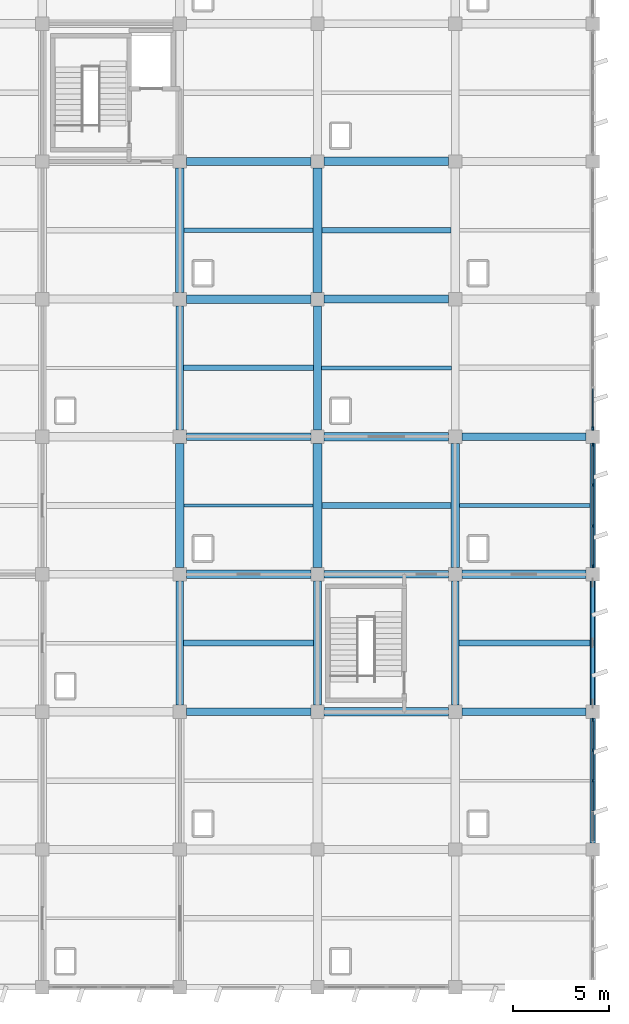
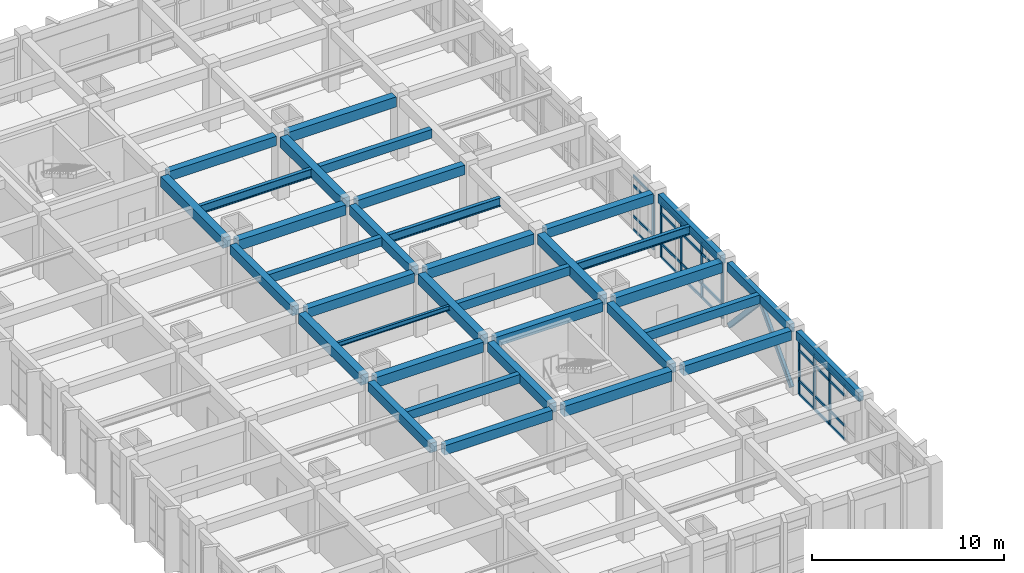
# One storey, part 26 of 70: 43 members, 31 beams, 3 elements without a shape of their own.
"""IFC4 building model written with IfcOpenShell, lengths in metres."""

from ifc_helpers import new_model, si_unit, direction, frame, origin, origin_2d, place, context, subcontext, project, spatial, rectangle, hollow_rectangle, i_section, extrude, material, layer, layer_set, material_profile, profile_set, type_object, element, aggregate, save


model = new_model("IFC4")

# Units and contexts
model_context = context("Model", 3, precision=1e-05, world=origin(), true_north=direction((0.0, 1.0)))
body_context = subcontext(model_context, "Body", "Model", "MODEL_VIEW")
ifc_project = project(units=[si_unit("LENGTHUNIT", "METRE"), si_unit("AREAUNIT", "SQUARE_METRE"), si_unit("VOLUMEUNIT", "CUBIC_METRE"), si_unit("PLANEANGLEUNIT", "RADIAN"), si_unit("MASSUNIT", "GRAM", prefix="KILO")], contexts=[model_context])

# Site, building, storey
site_placement = place(None, origin())
site = spatial("IfcSite", under=ifc_project, at=site_placement, CompositionType="ELEMENT")
building_placement = place(site_placement, origin())
building = spatial("IfcBuilding", under=site, at=building_placement, Name="Kavelor Marine Aquarium", CompositionType="ELEMENT")
storey_placement = place(building_placement, frame((0.0, 0.0, 9.179931640625)))
storey = spatial("IfcBuildingStorey", under=building, at=storey_placement, Name="L02", CompositionType="ELEMENT", Elevation=9.179931640625)

# Beams
ifc_material_1 = material(Name="Concrete C40/50", Category="concrete")
ifc_material_profile_1 = material_profile(ifc_material_1, rectangle(XDim=0.449951171875, YDim=0.64990234375, at=origin_2d()), Name="RC-BM 450x650")
ifc_profile_set_1 = profile_set([ifc_material_profile_1], Name="Concrete C40/50")
beam_type_1 = type_object("IfcBeamType", Name="BM-B3", PredefinedType="BEAM", material=ifc_profile_set_1)
for number, where, z_axis, x_axis, name in (
    (1, (133.14990234375, 74.800048828125, 3.695068359375), (1.0, 0.0, 0.0), (0.0, 1.0, 0.0), "bm:x:L02:L03:18_10"),
    (2, (133.14990234375, 89.199951171875, 3.695068359375), (1.0, 0.0, 0.0), (0.0, 1.0, 0.0), "bm:x:L02:L03:18_12"),
    (3, (140.35009765625, 67.60009765625, 3.695068359375), (1.0, 0.0, 0.0), (0.0, 1.0, 0.0), "bm:x:L02:L03:19_09"),
    (4, (140.35009765625, 82.0, 3.695068359375), (1.0, 0.0, 0.0), (0.0, 1.0, 0.0), "bm:x:L02:L03:19_11"),
    (5, (140.35009765625, 96.39990234375, 3.695068359375), (1.0, 0.0, 0.0), (0.0, 1.0, 0.0), "bm:x:L02:L03:19_13"),
    (6, (147.550048828125, 74.800048828125, 3.715087890625), (1.0, 0.0, 0.0), (0.0, 1.0, 0.0), "bm:x:L02:L03:20_10"),
    (7, (132.800048828125, 75.14990234375, 3.695068359375), (0.0, 1.0, 0.0), (-1.0, 0.0, 0.0), "bm:y:L02:L03:18_10"),
    (8, (132.800048828125, 89.550048828125, 3.695068359375), (0.0, 1.0, 0.0), (-1.0, 0.0, 0.0), "bm:y:L02:L03:18_12"),
    (9, (140.0, 75.14990234375, 3.695068359375), (0.0, 1.0, 0.0), (-1.0, 0.0, 0.0), "bm:y:L02:L03:19_10"),
    (10, (140.0, 89.550048828125, 3.695068359375), (0.0, 1.0, 0.0), (-1.0, 0.0, 0.0), "bm:y:L02:L03:19_12"),
    (11, (147.199951171875, 75.14990234375, 3.715087890625), (0.0, 1.0, 0.0), (-1.0, 0.0, 0.0), "bm:y:L02:L03:20_10"),
):
    element("IfcBeam", number, at=place(storey_placement, frame(where, z_axis=z_axis, x_axis=x_axis)), inside=storey, type_object=beam_type_1, Name=name, PredefinedType="BEAM", context=body_context, shape_type="SweptSolid", body=[
        extrude(rectangle(XDim=0.449951171875, YDim=0.64990234375, at=origin_2d()), origin(), (0.0, 0.0, 1.0), 6.5),
    ])
ifc_material_2 = material(Name="Concrete C40/50", Category="concrete")
ifc_material_profile_2 = material_profile(ifc_material_2, rectangle(XDim=0.39990234375, YDim=0.60009765625, at=origin_2d()), Name="RC-BM 400x600")
ifc_profile_set_2 = profile_set([ifc_material_profile_2], Name="Concrete C40/50")
beam_type_2 = type_object("IfcBeamType", Name="BM-B4", PredefinedType="BEAM", material=ifc_profile_set_2)
for number, where, z_axis, x_axis, name in (
    (12, (133.14990234375, 67.60009765625, 3.719970703125), (1.0, 0.0, 0.0), (0.0, 1.0, 0.0), "bm:x:L02:L03:18_09"),
    (13, (133.14990234375, 82.0, 3.719970703125), (1.0, 0.0, 0.0), (0.0, 1.0, 0.0), "bm:x:L02:L03:18_11"),
    (14, (133.14990234375, 96.39990234375, 3.719970703125), (1.0, 0.0, 0.0), (0.0, 1.0, 0.0), "bm:x:L02:L03:18_13"),
    (15, (140.35009765625, 74.800048828125, 3.719970703125), (1.0, 0.0, 0.0), (0.0, 1.0, 0.0), "bm:x:L02:L03:19_10"),
    (16, (140.35009765625, 89.199951171875, 3.719970703125), (1.0, 0.0, 0.0), (0.0, 1.0, 0.0), "bm:x:L02:L03:19_12"),
    (17, (147.550048828125, 67.60009765625, 3.739990234375), (1.0, 0.0, 0.0), (0.0, 1.0, 0.0), "bm:x:L02:L03:20_09"),
    (18, (147.550048828125, 82.0, 3.739990234375), (1.0, 0.0, 0.0), (0.0, 1.0, 0.0), "bm:x:L02:L03:20_11"),
    (19, (132.800048828125, 67.949951171875, 3.719970703125), (0.0, 1.0, 0.0), (-1.0, 0.0, 0.0), "bm:y:L02:L03:18_09"),
    (20, (132.800048828125, 82.35009765625, 3.719970703125), (0.0, 1.0, 0.0), (-1.0, 0.0, 0.0), "bm:y:L02:L03:18_11"),
    (21, (140.0, 67.949951171875, 3.719970703125), (0.0, 1.0, 0.0), (-1.0, 0.0, 0.0), "bm:y:L02:L03:19_09"),
    (22, (140.0, 82.35009765625, 3.719970703125), (0.0, 1.0, 0.0), (-1.0, 0.0, 0.0), "bm:y:L02:L03:19_11"),
    (23, (147.199951171875, 67.949951171875, 3.719970703125), (0.0, 1.0, 0.0), (-1.0, 0.0, 0.0), "bm:y:L02:L03:20_09"),
):
    element("IfcBeam", number, at=place(storey_placement, frame(where, z_axis=z_axis, x_axis=x_axis)), inside=storey, type_object=beam_type_2, Name=name, PredefinedType="BEAM", context=body_context, shape_type="SweptSolid", body=[
        extrude(rectangle(XDim=0.39990234375, YDim=0.60009765625, at=origin_2d()), origin(), (0.0, 0.0, 1.0), 6.5),
    ])
ifc_material_3 = material(Name="Concrete C40/50", Category="concrete")
ifc_material_profile_3 = material_profile(ifc_material_3, rectangle(XDim=0.300048828125, YDim=0.550048828125, at=origin_2d()), Name="RC-JS 300x550")
ifc_profile_set_3 = profile_set([ifc_material_profile_3], Name="Concrete C40/50")
beam_type_3 = type_object("IfcBeamType", Name="BM-JS2", PredefinedType="JOIST", material=ifc_profile_set_3)
for number, where, z_axis, x_axis, name in (
    (24, (133.0, 71.199951171875, 3.76513671875), (1.0, 0.0, 0.0), (0.0, 1.0, 0.0), "js:L02:L03:18_09"),
    (25, (133.0, 85.60009765625, 3.76513671875), (1.0, 0.0, 0.0), (0.0, 1.0, 0.0), "js:L02:L03:18_11"),
):
    element("IfcBeam", number, at=place(storey_placement, frame(where, z_axis=z_axis, x_axis=x_axis)), inside=storey, type_object=beam_type_3, Name=name, PredefinedType="JOIST", context=body_context, shape_type="SweptSolid", body=[
        extrude(rectangle(XDim=0.300048828125, YDim=0.550048828125, at=origin_2d()), origin(), (0.0, 0.0, 1.0), 6.800048828125),
    ])
for number, where, z_axis, x_axis, name in (
    (26, (140.22509765625, 78.39990234375, 3.76513671875), (1.0, 0.0, 0.0), (0.0, 1.0, 0.0), "js:L02:L03:19_10"),
    (27, (140.22509765625, 92.800048828125, 3.76513671875), (1.0, 0.0, 0.0), (0.0, 1.0, 0.0), "js:L02:L03:19_12"),
):
    element("IfcBeam", number, at=place(storey_placement, frame(where, z_axis=z_axis, x_axis=x_axis)), inside=storey, type_object=beam_type_3, Name=name, PredefinedType="JOIST", context=body_context, shape_type="SweptSolid", body=[
        extrude(rectangle(XDim=0.300048828125, YDim=0.550048828125, at=origin_2d()), origin(), (0.0, 0.0, 1.0), 6.75),
    ])
beam_placement = place(storey_placement, frame((147.39990234375, 71.199951171875, 3.76513671875), z_axis=(1.0, 0.0, 0.0), x_axis=(0.0, 1.0, 0.0)))
element("IfcBeam", 28, at=beam_placement, inside=storey, type_object=beam_type_3, Name="js:L02:L03:20_09", PredefinedType="JOIST", context=body_context, shape_type="SweptSolid", body=[
    extrude(rectangle(XDim=0.300048828125, YDim=0.550048828125, at=origin_2d()), origin(), (0.0, 0.0, 1.0), 6.85009765625),
])
ifc_material_4 = material(Name="Concrete C40/50", Category="concrete")
ifc_material_profile_4 = material_profile(ifc_material_4, rectangle(XDim=0.300048828125, YDim=0.550048828125, at=origin_2d()), Name="RC-SP 300x550")
ifc_profile_set_4 = profile_set([ifc_material_profile_4], Name="Concrete C40/50")
beam_type_4 = type_object("IfcBeamType", Name="BM-SP2", PredefinedType="SPANDREL", material=ifc_profile_set_4)
for number, where, z_axis, x_axis, name in (
    (29, (154.39990234375, 60.75, 3.76513671875), (0.0, 1.0, 0.0), (-1.0, 0.0, 0.0), "bm:y:L02:L03:21_08"),
    (30, (154.39990234375, 67.949951171875, 3.76513671875), (0.0, 1.0, 0.0), (-1.0, 0.0, 0.0), "bm:y:L02:L03:21_09"),
    (31, (154.39990234375, 75.14990234375, 3.76513671875), (0.0, 1.0, 0.0), (-1.0, 0.0, 0.0), "bm:y:L02:L03:21_10"),
):
    element("IfcBeam", number, at=place(storey_placement, frame(where, z_axis=z_axis, x_axis=x_axis)), inside=storey, type_object=beam_type_4, Name=name, PredefinedType="SPANDREL", context=body_context, shape_type="SweptSolid", body=[
        extrude(rectangle(XDim=0.300048828125, YDim=0.550048828125, at=origin_2d()), origin(), (0.0, 0.0, 1.0), 6.5),
    ])

# Curtain wall, members
ifc_material_5 = material(Name="Thermally Broken Aluminium and Low-E Glass", Category="aluminium")
ifc_layer_1 = layer(ifc_material_5, 0.26806640625)
ifc_layer_set_1 = layer_set([ifc_layer_1], Name="CW-SYS16")
curtain_wall_type_1 = type_object("IfcCurtainWallType", Name="CW-SYS16", PredefinedType="USERDEFINED", material=ifc_layer_set_1)
curtain_wall_1_placement = place(storey_placement, origin())
curtain_wall_1 = element("IfcCurtainWall", 32, at=curtain_wall_1_placement, inside=storey, type_object=curtain_wall_type_1, Name="cw:y:L02:21_08", ObjectType="Curtain Wall", PredefinedType="USERDEFINED")
ifc_material_6 = material(Name="Anodised Aluminium Alloy 6063-T6", Category="aluminium")
ifc_material_profile_5 = material_profile(ifc_material_6, rectangle(XDim=0.074951171875, YDim=0.179931640625, at=origin_2d()), Name="CW-MUL 75x180")
ifc_profile_set_5 = profile_set([ifc_material_profile_5], Name="Anodised Aluminium Alloy 6063-T6")
member_type_1 = type_object("IfcMemberType", Name="CWM-1", PredefinedType="MULLION", material=ifc_profile_set_5)
member_1_placement = place(storey_placement, frame((154.39990234375, 64.0, 0.0), z_axis=(0.0, 0.0, 1.0), x_axis=(-1.0, 0.0, 0.0)))
member_1 = element("IfcMember", 33, at=member_1_placement, type_object=member_type_1, Name="CW16 mullion 3", PredefinedType="MULLION", context=body_context, shape_type="SweptSolid", body=[
    extrude(rectangle(XDim=0.074951171875, YDim=0.179931640625, at=origin_2d()), origin(), (0.0, 0.0, 1.0), 3.47998046875),
])
member_2_placement = place(storey_placement, frame((154.39990234375, 65.6025390625, 0.0), z_axis=(0.0, 0.0, 1.0), x_axis=(-1.0, 0.0, 0.0)))
member_2 = element("IfcMember", 34, at=member_2_placement, type_object=member_type_1, Name="CW16 mullion 4", PredefinedType="MULLION", context=body_context, shape_type="SweptSolid", body=[
    extrude(rectangle(XDim=0.074951171875, YDim=0.179931640625, at=origin_2d()), origin(), (0.0, 0.0, 1.0), 3.47998046875),
])
member_3_placement = place(storey_placement, frame((154.39990234375, 67.16748046875, 0.0), z_axis=(0.0, 0.0, 1.0), x_axis=(-1.0, 0.0, 0.0)))
member_3 = element("IfcMember", 35, at=member_3_placement, type_object=member_type_1, Name="CW16 mullion 5", PredefinedType="MULLION", context=body_context, shape_type="SweptSolid", body=[
    extrude(rectangle(XDim=0.074951171875, YDim=0.179931640625, at=origin_2d()), origin(), (0.0, 0.0, 1.0), 3.47998046875),
])

ifc_material_7 = material(Name="Thermally Broken Aluminium and Low-E Glass", Category="aluminium")
ifc_layer_2 = layer(ifc_material_7, 0.27587890625)
ifc_layer_set_2 = layer_set([ifc_layer_2], Name="CW-SYS17")
curtain_wall_type_2 = type_object("IfcCurtainWallType", Name="CW-SYS17", PredefinedType="USERDEFINED", material=ifc_layer_set_2)
curtain_wall_2_placement = place(storey_placement, origin())
curtain_wall_2 = element("IfcCurtainWall", 36, at=curtain_wall_2_placement, inside=storey, type_object=curtain_wall_type_2, Name="cw:y:L02:21_10", ObjectType="Curtain Wall", PredefinedType="USERDEFINED")
ifc_material_8 = material(Name="Anodised Aluminium Alloy 6063-T6", Category="aluminium")
ifc_material_profile_6 = material_profile(ifc_material_8, rectangle(XDim=0.080078125, YDim=0.18505859375, at=origin_2d()), Name="CW-MUL 80x185")
ifc_profile_set_6 = profile_set([ifc_material_profile_6], Name="Anodised Aluminium Alloy 6063-T6")
member_type_2 = type_object("IfcMemberType", Name="CWM-2", PredefinedType="MULLION", material=ifc_profile_set_6)
member_4_placement = place(storey_placement, frame((154.39990234375, 75.2275390625, 0.0), z_axis=(0.0, 0.0, 1.0), x_axis=(-1.0, 0.0, 0.0)))
member_4 = element("IfcMember", 37, at=member_4_placement, type_object=member_type_2, Name="CW17 mullion 1", PredefinedType="MULLION", context=body_context, shape_type="SweptSolid", body=[
    extrude(rectangle(XDim=0.080078125, YDim=0.18505859375, at=origin_2d()), origin(), (0.0, 0.0, 1.0), 3.47998046875),
])
member_5_placement = place(storey_placement, frame((154.39990234375, 77.331787109375, 0.0), z_axis=(0.0, 0.0, 1.0), x_axis=(-1.0, 0.0, 0.0)))
member_5 = element("IfcMember", 38, at=member_5_placement, type_object=member_type_2, Name="CW17 mullion 2", PredefinedType="MULLION", context=body_context, shape_type="SweptSolid", body=[
    extrude(rectangle(XDim=0.080078125, YDim=0.18505859375, at=origin_2d()), origin(), (0.0, 0.0, 1.0), 3.47998046875),
])
member_6_placement = place(storey_placement, frame((154.39990234375, 79.46826171875, 0.0), z_axis=(0.0, 0.0, 1.0), x_axis=(-1.0, 0.0, 0.0)))
member_6 = element("IfcMember", 39, at=member_6_placement, type_object=member_type_2, Name="CW17 mullion 3", PredefinedType="MULLION", context=body_context, shape_type="SweptSolid", body=[
    extrude(rectangle(XDim=0.080078125, YDim=0.18505859375, at=origin_2d()), origin(), (0.0, 0.0, 1.0), 3.47998046875),
])
member_7_placement = place(storey_placement, frame((154.39990234375, 81.572509765625, 0.0), z_axis=(0.0, 0.0, 1.0), x_axis=(-1.0, 0.0, 0.0)))
member_7 = element("IfcMember", 40, at=member_7_placement, type_object=member_type_2, Name="CW17 mullion 4", PredefinedType="MULLION", context=body_context, shape_type="SweptSolid", body=[
    extrude(rectangle(XDim=0.080078125, YDim=0.18505859375, at=origin_2d()), origin(), (0.0, 0.0, 1.0), 3.47998046875),
])

ifc_material_9 = material(Name="Thermally Broken Aluminium and Low-E Glass", Category="aluminium")
ifc_layer_3 = layer(ifc_material_9, 0.283935546875)
ifc_layer_set_3 = layer_set([ifc_layer_3], Name="CW-SYS18")
curtain_wall_type_3 = type_object("IfcCurtainWallType", Name="CW-SYS18", PredefinedType="USERDEFINED", material=ifc_layer_set_3)
curtain_wall_3_placement = place(storey_placement, origin())
curtain_wall_3 = element("IfcCurtainWall", 41, at=curtain_wall_3_placement, inside=storey, type_object=curtain_wall_type_3, Name="cw:y:L02:21_11", ObjectType="Curtain Wall", PredefinedType="USERDEFINED")
ifc_material_10 = material(Name="Anodised Aluminium Alloy 6063-T6", Category="aluminium")
ifc_material_profile_7 = material_profile(ifc_material_10, rectangle(XDim=0.0849609375, YDim=0.18994140625, at=origin_2d()), Name="CW-MUL 85x190")
ifc_profile_set_7 = profile_set([ifc_material_profile_7], Name="Anodised Aluminium Alloy 6063-T6")
member_type_3 = type_object("IfcMemberType", Name="CWM-3", PredefinedType="MULLION", material=ifc_profile_set_7)
member_8_placement = place(storey_placement, frame((154.39990234375, 82.425048828125, 0.0), z_axis=(0.0, 0.0, 1.0), x_axis=(-1.0, 0.0, 0.0)))
member_8 = element("IfcMember", 42, at=member_8_placement, type_object=member_type_3, Name="CW18 mullion 1", PredefinedType="MULLION", context=body_context, shape_type="SweptSolid", body=[
    extrude(rectangle(XDim=0.0849609375, YDim=0.18994140625, at=origin_2d()), origin(), (0.0, 0.0, 1.0), 3.47998046875),
])
ifc_material_11 = material(Name="Anodised Aluminium Alloy 6063-T6", Category="aluminium")
ifc_material_profile_8 = material_profile(ifc_material_11, rectangle(XDim=0.074951171875, YDim=0.14990234375, at=origin_2d()), Name="CW-TRN 75x150")
ifc_profile_set_8 = profile_set([ifc_material_profile_8], Name="Anodised Aluminium Alloy 6063-T6")
member_type_4 = type_object("IfcMemberType", Name="CWT-1", PredefinedType="USERDEFINED", material=ifc_profile_set_8)
member_9_placement = place(storey_placement, frame((154.39990234375, 82.455078125, 0.03759765625), z_axis=(0.0, 1.0, 0.0), x_axis=(-1.0, 0.0, 0.0)))
member_9 = element("IfcMember", 43, at=member_9_placement, type_object=member_type_4, Name="CW18 transom 1.1", ObjectType="TRANSOM", PredefinedType="USERDEFINED", context=body_context, shape_type="SweptSolid", body=[
    extrude(rectangle(XDim=0.074951171875, YDim=0.14990234375, at=origin_2d()), origin(), (0.0, 0.0, 1.0), 2.046630859375),
])
member_10_placement = place(storey_placement, frame((154.39990234375, 82.455078125, 0.900146484375), z_axis=(0.0, 1.0, 0.0), x_axis=(-1.0, 0.0, 0.0)))
member_10 = element("IfcMember", 44, at=member_10_placement, type_object=member_type_4, Name="CW18 transom 1.2", ObjectType="TRANSOM", PredefinedType="USERDEFINED", context=body_context, shape_type="SweptSolid", body=[
    extrude(rectangle(XDim=0.074951171875, YDim=0.14990234375, at=origin_2d()), origin(), (0.0, 0.0, 1.0), 2.046630859375),
])
member_11_placement = place(storey_placement, frame((154.39990234375, 82.455078125, 2.830078125), z_axis=(0.0, 1.0, 0.0), x_axis=(-1.0, 0.0, 0.0)))
member_11 = element("IfcMember", 45, at=member_11_placement, type_object=member_type_4, Name="CW18 transom 1.3", ObjectType="TRANSOM", PredefinedType="USERDEFINED", context=body_context, shape_type="SweptSolid", body=[
    extrude(rectangle(XDim=0.074951171875, YDim=0.14990234375, at=origin_2d()), origin(), (0.0, 0.0, 1.0), 2.046630859375),
])
member_12_placement = place(storey_placement, frame((154.39990234375, 82.455078125, 3.442626953125), z_axis=(0.0, 1.0, 0.0), x_axis=(-1.0, 0.0, 0.0)))
member_12 = element("IfcMember", 46, at=member_12_placement, type_object=member_type_4, Name="CW18 transom 1.4", ObjectType="TRANSOM", PredefinedType="USERDEFINED", context=body_context, shape_type="SweptSolid", body=[
    extrude(rectangle(XDim=0.074951171875, YDim=0.14990234375, at=origin_2d()), origin(), (0.0, 0.0, 1.0), 2.046630859375),
])
aggregate(curtain_wall_3, [member_8, member_9, member_10, member_11, member_12])

# Member
ifc_material_12 = material(Name="Anodised Aluminium Alloy 6063-T6", Category="aluminium")
ifc_material_profile_9 = material_profile(ifc_material_12, rectangle(XDim=0.0849609375, YDim=0.159912109375, at=origin_2d()), Name="CW-TRN 85x160")
ifc_profile_set_9 = profile_set([ifc_material_profile_9], Name="Anodised Aluminium Alloy 6063-T6")
member_type_5 = type_object("IfcMemberType", Name="CWT-3", PredefinedType="USERDEFINED", material=ifc_profile_set_9)
member_13_placement = place(storey_placement, frame((154.39990234375, 60.8701171875, 3.449951171875), z_axis=(0.0, 1.0, 0.0), x_axis=(-1.0, 0.0, 0.0)))
member_13 = element("IfcMember", 47, at=member_13_placement, type_object=member_type_5, Name="CW16 transom 1.4", ObjectType="TRANSOM", PredefinedType="USERDEFINED", context=body_context, shape_type="SweptSolid", body=[
    extrude(rectangle(XDim=0.0849609375, YDim=0.159912109375, at=origin_2d()), origin(), (0.0, 0.0, 1.0), 1.489990234375),
])

member_14_placement = place(storey_placement, frame((154.39990234375, 62.43505859375, 0.030029296875), z_axis=(0.0, 1.0, 0.0), x_axis=(-1.0, 0.0, 0.0)))
member_14 = element("IfcMember", 48, at=member_14_placement, type_object=member_type_5, Name="CW16 transom 2.1", ObjectType="TRANSOM", PredefinedType="USERDEFINED", context=body_context, shape_type="SweptSolid", body=[
    extrude(rectangle(XDim=0.0849609375, YDim=0.159912109375, at=origin_2d()), origin(), (0.0, 0.0, 1.0), 1.52734375),
])

member_15_placement = place(storey_placement, frame((154.39990234375, 62.43505859375, 0.900146484375), z_axis=(0.0, 1.0, 0.0), x_axis=(-1.0, 0.0, 0.0)))
member_15 = element("IfcMember", 49, at=member_15_placement, type_object=member_type_5, Name="CW16 transom 2.2", ObjectType="TRANSOM", PredefinedType="USERDEFINED", context=body_context, shape_type="SweptSolid", body=[
    extrude(rectangle(XDim=0.0849609375, YDim=0.159912109375, at=origin_2d()), origin(), (0.0, 0.0, 1.0), 1.52734375),
])

member_16_placement = place(storey_placement, frame((154.39990234375, 62.43505859375, 2.830078125), z_axis=(0.0, 1.0, 0.0), x_axis=(-1.0, 0.0, 0.0)))
member_16 = element("IfcMember", 50, at=member_16_placement, type_object=member_type_5, Name="CW16 transom 2.3", ObjectType="TRANSOM", PredefinedType="USERDEFINED", context=body_context, shape_type="SweptSolid", body=[
    extrude(rectangle(XDim=0.0849609375, YDim=0.159912109375, at=origin_2d()), origin(), (0.0, 0.0, 1.0), 1.52734375),
])

member_17_placement = place(storey_placement, frame((154.39990234375, 62.43505859375, 3.449951171875), z_axis=(0.0, 1.0, 0.0), x_axis=(-1.0, 0.0, 0.0)))
member_17 = element("IfcMember", 51, at=member_17_placement, type_object=member_type_5, Name="CW16 transom 2.4", ObjectType="TRANSOM", PredefinedType="USERDEFINED", context=body_context, shape_type="SweptSolid", body=[
    extrude(rectangle(XDim=0.0849609375, YDim=0.159912109375, at=origin_2d()), origin(), (0.0, 0.0, 1.0), 1.52734375),
])

member_18_placement = place(storey_placement, frame((154.39990234375, 64.03759765625, 0.030029296875), z_axis=(0.0, 1.0, 0.0), x_axis=(-1.0, 0.0, 0.0)))
member_18 = element("IfcMember", 52, at=member_18_placement, type_object=member_type_5, Name="CW16 transom 3.1", ObjectType="TRANSOM", PredefinedType="USERDEFINED", context=body_context, shape_type="SweptSolid", body=[
    extrude(rectangle(XDim=0.0849609375, YDim=0.159912109375, at=origin_2d()), origin(), (0.0, 0.0, 1.0), 1.52734375),
])

member_19_placement = place(storey_placement, frame((154.39990234375, 64.03759765625, 0.900146484375), z_axis=(0.0, 1.0, 0.0), x_axis=(-1.0, 0.0, 0.0)))
member_19 = element("IfcMember", 53, at=member_19_placement, type_object=member_type_5, Name="CW16 transom 3.2", ObjectType="TRANSOM", PredefinedType="USERDEFINED", context=body_context, shape_type="SweptSolid", body=[
    extrude(rectangle(XDim=0.0849609375, YDim=0.159912109375, at=origin_2d()), origin(), (0.0, 0.0, 1.0), 1.52734375),
])

member_20_placement = place(storey_placement, frame((154.39990234375, 64.03759765625, 2.830078125), z_axis=(0.0, 1.0, 0.0), x_axis=(-1.0, 0.0, 0.0)))
member_20 = element("IfcMember", 54, at=member_20_placement, type_object=member_type_5, Name="CW16 transom 3.3", ObjectType="TRANSOM", PredefinedType="USERDEFINED", context=body_context, shape_type="SweptSolid", body=[
    extrude(rectangle(XDim=0.0849609375, YDim=0.159912109375, at=origin_2d()), origin(), (0.0, 0.0, 1.0), 1.52734375),
])

member_21_placement = place(storey_placement, frame((154.39990234375, 64.03759765625, 3.449951171875), z_axis=(0.0, 1.0, 0.0), x_axis=(-1.0, 0.0, 0.0)))
member_21 = element("IfcMember", 55, at=member_21_placement, type_object=member_type_5, Name="CW16 transom 3.4", ObjectType="TRANSOM", PredefinedType="USERDEFINED", context=body_context, shape_type="SweptSolid", body=[
    extrude(rectangle(XDim=0.0849609375, YDim=0.159912109375, at=origin_2d()), origin(), (0.0, 0.0, 1.0), 1.52734375),
])

member_22_placement = place(storey_placement, frame((154.39990234375, 65.639892578125, 0.030029296875), z_axis=(0.0, 1.0, 0.0), x_axis=(-1.0, 0.0, 0.0)))
member_22 = element("IfcMember", 56, at=member_22_placement, type_object=member_type_5, Name="CW16 transom 4.1", ObjectType="TRANSOM", PredefinedType="USERDEFINED", context=body_context, shape_type="SweptSolid", body=[
    extrude(rectangle(XDim=0.0849609375, YDim=0.159912109375, at=origin_2d()), origin(), (0.0, 0.0, 1.0), 1.489990234375),
])

member_23_placement = place(storey_placement, frame((154.39990234375, 65.639892578125, 0.900146484375), z_axis=(0.0, 1.0, 0.0), x_axis=(-1.0, 0.0, 0.0)))
member_23 = element("IfcMember", 57, at=member_23_placement, type_object=member_type_5, Name="CW16 transom 4.2", ObjectType="TRANSOM", PredefinedType="USERDEFINED", context=body_context, shape_type="SweptSolid", body=[
    extrude(rectangle(XDim=0.0849609375, YDim=0.159912109375, at=origin_2d()), origin(), (0.0, 0.0, 1.0), 1.489990234375),
])

member_24_placement = place(storey_placement, frame((154.39990234375, 65.639892578125, 2.830078125), z_axis=(0.0, 1.0, 0.0), x_axis=(-1.0, 0.0, 0.0)))
member_24 = element("IfcMember", 58, at=member_24_placement, type_object=member_type_5, Name="CW16 transom 4.3", ObjectType="TRANSOM", PredefinedType="USERDEFINED", context=body_context, shape_type="SweptSolid", body=[
    extrude(rectangle(XDim=0.0849609375, YDim=0.159912109375, at=origin_2d()), origin(), (0.0, 0.0, 1.0), 1.489990234375),
])

member_25_placement = place(storey_placement, frame((154.39990234375, 65.639892578125, 3.449951171875), z_axis=(0.0, 1.0, 0.0), x_axis=(-1.0, 0.0, 0.0)))
member_25 = element("IfcMember", 59, at=member_25_placement, type_object=member_type_5, Name="CW16 transom 4.4", ObjectType="TRANSOM", PredefinedType="USERDEFINED", context=body_context, shape_type="SweptSolid", body=[
    extrude(rectangle(XDim=0.0849609375, YDim=0.159912109375, at=origin_2d()), origin(), (0.0, 0.0, 1.0), 1.489990234375),
])

aggregate(curtain_wall_1, [member_1, member_2, member_3, member_13, member_14, member_15, member_16, member_17, member_18, member_19, member_20, member_21, member_22, member_23, member_24, member_25])

member_26_placement = place(storey_placement, frame((154.39990234375, 75.260009765625, 0.030029296875), z_axis=(0.0, 1.0, 0.0), x_axis=(-1.0, 0.0, 0.0)))
member_26 = element("IfcMember", 60, at=member_26_placement, type_object=member_type_5, Name="CW17 transom 1.1", ObjectType="TRANSOM", PredefinedType="USERDEFINED", context=body_context, shape_type="SweptSolid", body=[
    extrude(rectangle(XDim=0.0849609375, YDim=0.159912109375, at=origin_2d()), origin(), (0.0, 0.0, 1.0), 2.0390625),
])

member_27_placement = place(storey_placement, frame((154.39990234375, 75.260009765625, 0.900146484375), z_axis=(0.0, 1.0, 0.0), x_axis=(-1.0, 0.0, 0.0)))
member_27 = element("IfcMember", 61, at=member_27_placement, type_object=member_type_5, Name="CW17 transom 1.2", ObjectType="TRANSOM", PredefinedType="USERDEFINED", context=body_context, shape_type="SweptSolid", body=[
    extrude(rectangle(XDim=0.0849609375, YDim=0.159912109375, at=origin_2d()), origin(), (0.0, 0.0, 1.0), 2.0390625),
])

member_28_placement = place(storey_placement, frame((154.39990234375, 75.260009765625, 2.830078125), z_axis=(0.0, 1.0, 0.0), x_axis=(-1.0, 0.0, 0.0)))
member_28 = element("IfcMember", 62, at=member_28_placement, type_object=member_type_5, Name="CW17 transom 1.3", ObjectType="TRANSOM", PredefinedType="USERDEFINED", context=body_context, shape_type="SweptSolid", body=[
    extrude(rectangle(XDim=0.0849609375, YDim=0.159912109375, at=origin_2d()), origin(), (0.0, 0.0, 1.0), 2.0390625),
])

member_29_placement = place(storey_placement, frame((154.39990234375, 75.260009765625, 3.449951171875), z_axis=(0.0, 1.0, 0.0), x_axis=(-1.0, 0.0, 0.0)))
member_29 = element("IfcMember", 63, at=member_29_placement, type_object=member_type_5, Name="CW17 transom 1.4", ObjectType="TRANSOM", PredefinedType="USERDEFINED", context=body_context, shape_type="SweptSolid", body=[
    extrude(rectangle(XDim=0.0849609375, YDim=0.159912109375, at=origin_2d()), origin(), (0.0, 0.0, 1.0), 2.0390625),
])

member_30_placement = place(storey_placement, frame((154.39990234375, 77.3642578125, 0.030029296875), z_axis=(0.0, 1.0, 0.0), x_axis=(-1.0, 0.0, 0.0)))
member_30 = element("IfcMember", 64, at=member_30_placement, type_object=member_type_5, Name="CW17 transom 2.1", ObjectType="TRANSOM", PredefinedType="USERDEFINED", context=body_context, shape_type="SweptSolid", body=[
    extrude(rectangle(XDim=0.0849609375, YDim=0.159912109375, at=origin_2d()), origin(), (0.0, 0.0, 1.0), 2.071533203125),
])

member_31_placement = place(storey_placement, frame((154.39990234375, 77.3642578125, 0.900146484375), z_axis=(0.0, 1.0, 0.0), x_axis=(-1.0, 0.0, 0.0)))
member_31 = element("IfcMember", 65, at=member_31_placement, type_object=member_type_5, Name="CW17 transom 2.2", ObjectType="TRANSOM", PredefinedType="USERDEFINED", context=body_context, shape_type="SweptSolid", body=[
    extrude(rectangle(XDim=0.0849609375, YDim=0.159912109375, at=origin_2d()), origin(), (0.0, 0.0, 1.0), 2.071533203125),
])

member_32_placement = place(storey_placement, frame((154.39990234375, 77.3642578125, 2.830078125), z_axis=(0.0, 1.0, 0.0), x_axis=(-1.0, 0.0, 0.0)))
member_32 = element("IfcMember", 66, at=member_32_placement, type_object=member_type_5, Name="CW17 transom 2.3", ObjectType="TRANSOM", PredefinedType="USERDEFINED", context=body_context, shape_type="SweptSolid", body=[
    extrude(rectangle(XDim=0.0849609375, YDim=0.159912109375, at=origin_2d()), origin(), (0.0, 0.0, 1.0), 2.071533203125),
])

member_33_placement = place(storey_placement, frame((154.39990234375, 77.3642578125, 3.449951171875), z_axis=(0.0, 1.0, 0.0), x_axis=(-1.0, 0.0, 0.0)))
member_33 = element("IfcMember", 67, at=member_33_placement, type_object=member_type_5, Name="CW17 transom 2.4", ObjectType="TRANSOM", PredefinedType="USERDEFINED", context=body_context, shape_type="SweptSolid", body=[
    extrude(rectangle(XDim=0.0849609375, YDim=0.159912109375, at=origin_2d()), origin(), (0.0, 0.0, 1.0), 2.071533203125),
])

member_34_placement = place(storey_placement, frame((154.39990234375, 79.500732421875, 0.030029296875), z_axis=(0.0, 1.0, 0.0), x_axis=(-1.0, 0.0, 0.0)))
member_34 = element("IfcMember", 68, at=member_34_placement, type_object=member_type_5, Name="CW17 transom 3.1", ObjectType="TRANSOM", PredefinedType="USERDEFINED", context=body_context, shape_type="SweptSolid", body=[
    extrude(rectangle(XDim=0.0849609375, YDim=0.159912109375, at=origin_2d()), origin(), (0.0, 0.0, 1.0), 2.039306640625),
])

member_35_placement = place(storey_placement, frame((154.39990234375, 79.500732421875, 0.900146484375), z_axis=(0.0, 1.0, 0.0), x_axis=(-1.0, 0.0, 0.0)))
member_35 = element("IfcMember", 69, at=member_35_placement, type_object=member_type_5, Name="CW17 transom 3.2", ObjectType="TRANSOM", PredefinedType="USERDEFINED", context=body_context, shape_type="SweptSolid", body=[
    extrude(rectangle(XDim=0.0849609375, YDim=0.159912109375, at=origin_2d()), origin(), (0.0, 0.0, 1.0), 2.039306640625),
])

member_36_placement = place(storey_placement, frame((154.39990234375, 79.500732421875, 2.830078125), z_axis=(0.0, 1.0, 0.0), x_axis=(-1.0, 0.0, 0.0)))
member_36 = element("IfcMember", 70, at=member_36_placement, type_object=member_type_5, Name="CW17 transom 3.3", ObjectType="TRANSOM", PredefinedType="USERDEFINED", context=body_context, shape_type="SweptSolid", body=[
    extrude(rectangle(XDim=0.0849609375, YDim=0.159912109375, at=origin_2d()), origin(), (0.0, 0.0, 1.0), 2.039306640625),
])

member_37_placement = place(storey_placement, frame((154.39990234375, 79.500732421875, 3.449951171875), z_axis=(0.0, 1.0, 0.0), x_axis=(-1.0, 0.0, 0.0)))
member_37 = element("IfcMember", 71, at=member_37_placement, type_object=member_type_5, Name="CW17 transom 3.4", ObjectType="TRANSOM", PredefinedType="USERDEFINED", context=body_context, shape_type="SweptSolid", body=[
    extrude(rectangle(XDim=0.0849609375, YDim=0.159912109375, at=origin_2d()), origin(), (0.0, 0.0, 1.0), 2.039306640625),
])

aggregate(curtain_wall_2, [member_4, member_5, member_6, member_7, member_26, member_27, member_28, member_29, member_30, member_31, member_32, member_33, member_34, member_35, member_36, member_37])

# Members
ifc_material_13 = material(Name="Steel S355", Category="steel")
ifc_material_profile_10 = material_profile(ifc_material_13, i_section(OverallWidth=0.2099609375, OverallDepth=0.550048828125, WebThickness=0.010986328125, FlangeThickness=0.01708984375, FilletRadius=0.02392578125, at=origin_2d()), Name="IPE 550")
ifc_profile_set_10 = profile_set([ifc_material_profile_10], Name="Steel S355")
member_type_6 = type_object("IfcMemberType", Name="PR-SJ1", PredefinedType="PURLIN", material=ifc_profile_set_10)
member_38_placement = place(storey_placement, frame((133.02490234375, 92.800048828125, 3.7451171875), z_axis=(1.0, 0.0, 0.0), x_axis=(0.0, 1.0, 0.0)))
element("IfcMember", 72, at=member_38_placement, inside=storey, type_object=member_type_6, Name="js:L02:L03:18_12", PredefinedType="PURLIN", context=body_context, shape_type="SweptSolid", body=[
    extrude(i_section(OverallWidth=0.2099609375, OverallDepth=0.550048828125, WebThickness=0.010986328125, FlangeThickness=0.01708984375, FilletRadius=0.02392578125, at=origin_2d()), origin(), (0.0, 0.0, 1.0), 6.75),
])
member_39_placement = place(storey_placement, frame((140.199951171875, 85.60009765625, 3.7451171875), z_axis=(1.0, 0.0, 0.0), x_axis=(0.0, 1.0, 0.0)))
element("IfcMember", 73, at=member_39_placement, inside=storey, type_object=member_type_6, Name="js:L02:L03:19_11", PredefinedType="PURLIN", context=body_context, shape_type="SweptSolid", body=[
    extrude(i_section(OverallWidth=0.2099609375, OverallDepth=0.550048828125, WebThickness=0.010986328125, FlangeThickness=0.01708984375, FilletRadius=0.02392578125, at=origin_2d()), origin(), (0.0, 0.0, 1.0), 6.800048828125),
])
member_40_placement = place(storey_placement, frame((147.425048828125, 78.39990234375, 3.76513671875), z_axis=(1.0, 0.0, 0.0), x_axis=(0.0, 1.0, 0.0)))
element("IfcMember", 74, at=member_40_placement, inside=storey, type_object=member_type_6, Name="js:L02:L03:20_10", PredefinedType="PURLIN", context=body_context, shape_type="SweptSolid", body=[
    extrude(i_section(OverallWidth=0.2099609375, OverallDepth=0.550048828125, WebThickness=0.010986328125, FlangeThickness=0.01708984375, FilletRadius=0.02392578125, at=origin_2d()), origin(), (0.0, 0.0, 1.0), 6.824951171875),
])
ifc_material_14 = material(Name="Steel S355", Category="steel")
ifc_material_profile_11 = material_profile(ifc_material_14, i_section(OverallWidth=0.14990234375, OverallDepth=0.300048828125, WebThickness=0.007080078125, FlangeThickness=0.0107421875, FilletRadius=0.014892578125, at=origin_2d()), Name="IPE 300")
ifc_profile_set_11 = profile_set([ifc_material_profile_11], Name="Steel S355")
member_type_7 = type_object("IfcMemberType", Name="PR-SJ4", PredefinedType="PURLIN", material=ifc_profile_set_11)
member_41_placement = place(storey_placement, frame((133.02490234375, 78.39990234375, 3.8701171875), z_axis=(1.0, 0.0, 0.0), x_axis=(0.0, 1.0, 0.0)))
element("IfcMember", 75, at=member_41_placement, inside=storey, type_object=member_type_7, Name="js:L02:L03:18_10", PredefinedType="PURLIN", context=body_context, shape_type="SweptSolid", body=[
    extrude(i_section(OverallWidth=0.14990234375, OverallDepth=0.300048828125, WebThickness=0.007080078125, FlangeThickness=0.0107421875, FilletRadius=0.014892578125, at=origin_2d()), origin(), (0.0, 0.0, 1.0), 6.75),
])
ifc_material_15 = material(Name="Steel S355", Category="steel")
ifc_material_profile_12 = material_profile(ifc_material_15, hollow_rectangle(XDim=0.199951171875, YDim=0.300048828125, WallThickness=0.010009765625, InnerFilletRadius=0.014892578125, OuterFilletRadius=0.02490234375, at=origin_2d()), Name="RHS 300x200x10.0")
ifc_profile_set_12 = profile_set([ifc_material_profile_12], Name="Steel S355")
member_type_8 = type_object("IfcMemberType", Name="ST-BR6", PredefinedType="BRACE", material=ifc_profile_set_12)
for number, where, z_axis, x_axis, name in (
    (76, (154.39990234375, 67.949951171875, 0.0), (0.0, 0.681497010884, 0.731820896228), (-1.0, 0.0, 0.0), "sbr:a:5"),
    (77, (154.39990234375, 74.449951171875, 0.0), (0.0, -0.681497010884, 0.731820896228), (1.0, 0.0, 0.0), "sbr:b:5"),
):
    element("IfcMember", number, at=place(storey_placement, frame(where, z_axis=z_axis, x_axis=x_axis)), inside=storey, type_object=member_type_8, Name=name, PredefinedType="BRACE", context=body_context, shape_type="SweptSolid", body=[
        extrude(hollow_rectangle(XDim=0.199951171875, YDim=0.300048828125, WallThickness=0.010009765625, InnerFilletRadius=0.014892578125, OuterFilletRadius=0.02490234375, at=origin_2d()), origin(), (0.0, 0.0, 1.0), 4.768798828125),
    ])

save(model, "model.ifc")
